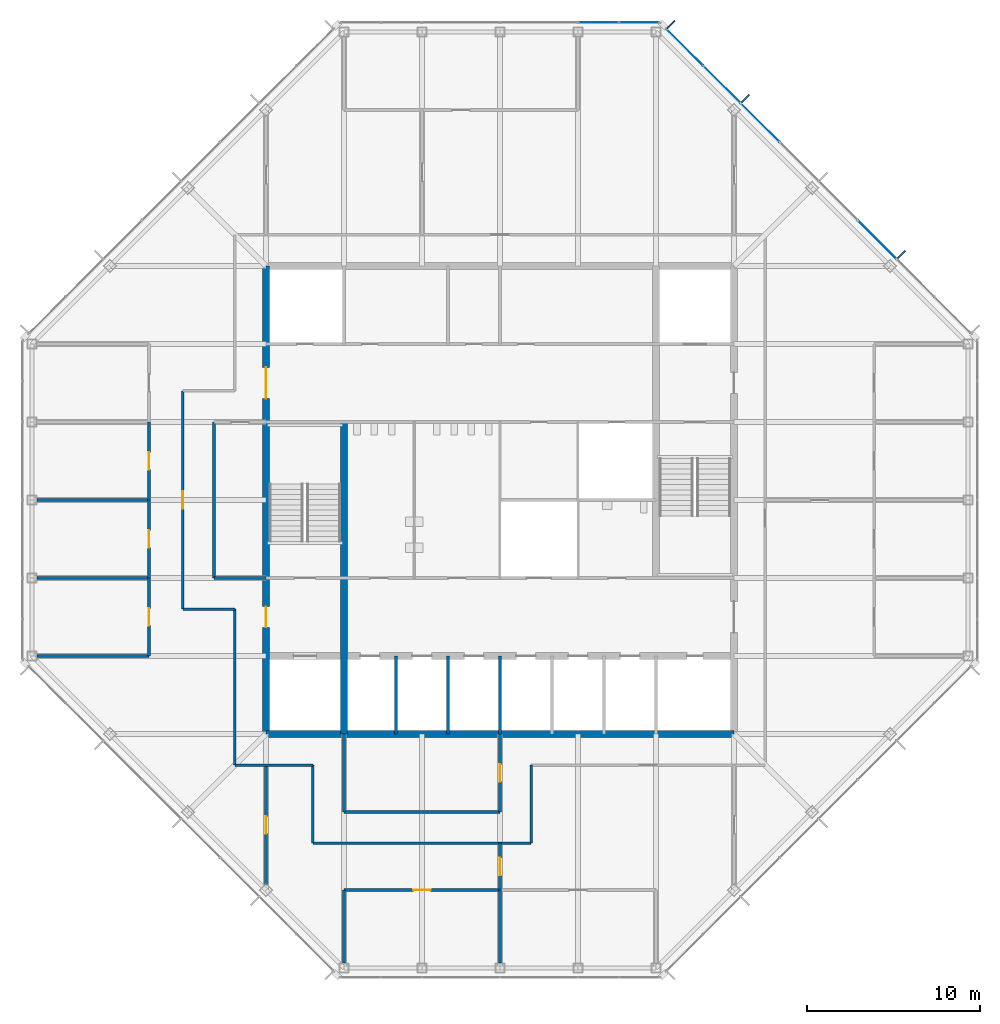
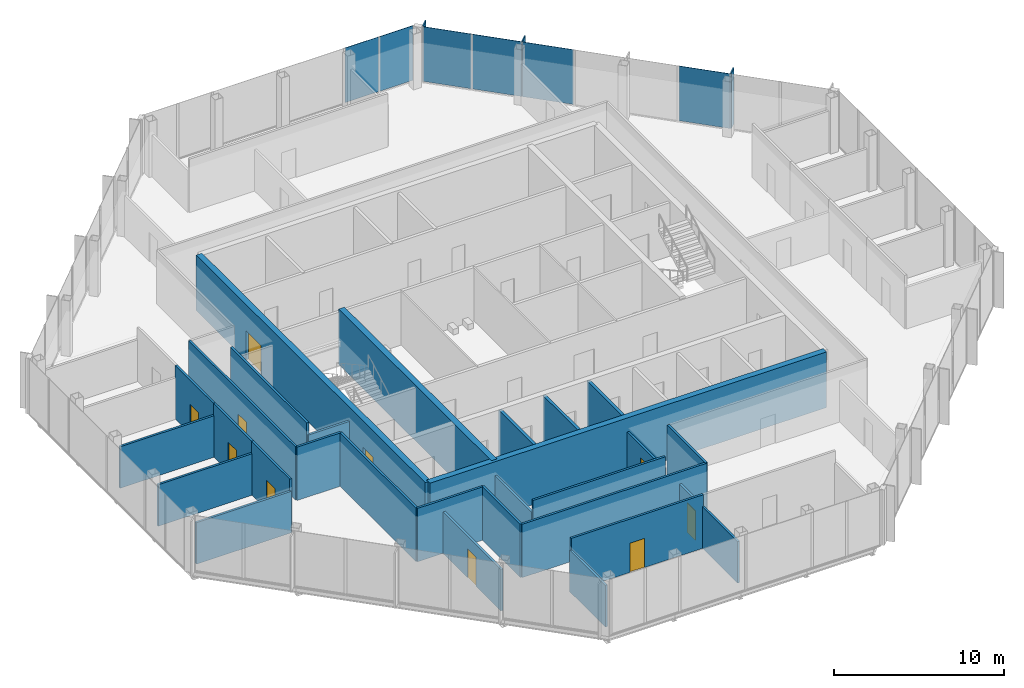
# One storey, part 9 of 14: 29 walls, 10 doors, 9 plates, 10 openings, 2 elements without a shape of their own.
"""IFC4 building model written with IfcOpenShell, lengths in metres."""

from ifc_helpers import new_model, si_unit, direction, frame, frame_2d, origin, origin_2d, place, context, subcontext, project, spatial, rectangle, extrude, material, layer, layer_set, type_object, element, fill, aggregate, save


model = new_model("IFC4")

# Units and contexts
model_context = context("Model", 3, precision=1e-05, world=origin(), true_north=direction((0.0, 1.0)))
body_context = subcontext(model_context, "Body", "Model", "MODEL_VIEW")
ifc_project = project(units=[si_unit("LENGTHUNIT", "METRE"), si_unit("AREAUNIT", "SQUARE_METRE"), si_unit("VOLUMEUNIT", "CUBIC_METRE"), si_unit("PLANEANGLEUNIT", "RADIAN"), si_unit("MASSUNIT", "GRAM", prefix="KILO")], contexts=[model_context])

# Site, building, storey
site_placement = place(None, origin())
site = spatial("IfcSite", under=ifc_project, at=site_placement, CompositionType="ELEMENT")
building_placement = place(site_placement, origin())
building = spatial("IfcBuilding", under=site, at=building_placement, Name="Corais Broadcast Tower", CompositionType="ELEMENT")
storey_placement = place(building_placement, frame((0.0, 0.0, 294.60009765625)))
storey = spatial("IfcBuildingStorey", under=building, at=storey_placement, Name="L69", CompositionType="ELEMENT", Elevation=294.60009765625)

# Curtain wall, plate
ifc_material_1 = material(Name="Aluminium and glass", Category="aluminium")
curtain_wall_type = type_object("IfcCurtainWallType", Name="Unitised fritted curtain wall CW3", PredefinedType="NOTDEFINED", material=ifc_material_1)
curtain_wall_1_placement = place(storey_placement, origin())
curtain_wall_1 = element("IfcCurtainWall", 1, at=curtain_wall_1_placement, inside=storey, type_object=curtain_wall_type, Name="CW3 curtain wall L69 4", PredefinedType="NOTDEFINED")
ifc_material_2 = material(Name="Ceramic-fritted laminated glass", Category="glass")
ifc_layer_1 = layer(ifc_material_2, 0.02587890625)
ifc_layer_set_1 = layer_set([ifc_layer_1], Name="Ceramic-fritted laminated glass")
plate_type_1 = type_object("IfcPlateType", Name="Fritted glass panel CW3", PredefinedType="CURTAIN_PANEL", material=ifc_layer_set_1)
plate_1_placement = place(storey_placement, frame((32.681884765625, 54.550048828125, 0.06494140625), z_axis=(0.0, 0.0, 1.0), x_axis=(1.0, 0.0, 0.0)))
plate_1 = element("IfcPlate", 2, at=plate_1_placement, type_object=plate_type_1, Name="CW3 panel 5", PredefinedType="CURTAIN_PANEL", context=body_context, shape_type="SweptSolid", body=[
    extrude(rectangle(XDim=2.298828125, YDim=0.02587890625, at=origin_2d()), origin(), (0.0, 0.0, 1.0), 3.93505859375),
])

# Curtain wall, plates
curtain_wall_2_placement = place(storey_placement, origin())
curtain_wall_2 = element("IfcCurtainWall", 3, at=curtain_wall_2_placement, inside=storey, type_object=curtain_wall_type, Name="CW3 curtain wall L69 5", PredefinedType="NOTDEFINED")
plate_2_placement = place(storey_placement, frame((37.669677734375, 53.108154296875, 0.06494140625), z_axis=(0.0, 0.0, 1.0), x_axis=(0.707106781187, -0.707106781187, 0.0)))
plate_2 = element("IfcPlate", 4, at=plate_2_placement, type_object=plate_type_1, Name="CW3 panel 1", PredefinedType="CURTAIN_PANEL", context=body_context, shape_type="SweptSolid", body=[
    extrude(rectangle(XDim=2.9482421875, YDim=0.02587890625, at=origin_2d()), origin(), (0.0, 0.0, 1.0), 3.93505859375),
])
plate_3_placement = place(storey_placement, frame((42.013916015625, 48.763916015625, 0.06494140625), z_axis=(0.0, 0.0, 1.0), x_axis=(0.707106781187, -0.707106781187, 0.0)))
plate_3 = element("IfcPlate", 5, at=plate_3_placement, type_object=plate_type_1, Name="CW3 panel 3", PredefinedType="CURTAIN_PANEL", context=body_context, shape_type="SweptSolid", body=[
    extrude(rectangle(XDim=3.116943359375, YDim=0.02587890625, at=origin_2d()), origin(), (0.0, 0.0, 1.0), 3.93505859375),
])

# Plate
ifc_material_3 = material(Name="Clear laminated glass", Category="glass")
ifc_layer_2 = layer(ifc_material_3, 0.030029296875)
ifc_layer_set_2 = layer_set([ifc_layer_2], Name="Clear laminated glass")
plate_type_2 = type_object("IfcPlateType", Name="Operable glass panel CW3", PredefinedType="CURTAIN_PANEL", material=ifc_layer_set_2)
plate_4_placement = place(storey_placement, frame((35.029541015625, 54.550048828125, 0.06494140625), z_axis=(0.0, 0.0, 1.0), x_axis=(1.0, 0.0, 0.0)))
plate_4 = element("IfcPlate", 6, at=plate_4_placement, type_object=plate_type_2, Name="CW3 operable panel 6", PredefinedType="CURTAIN_PANEL", context=body_context, shape_type="SweptSolid", body=[
    extrude(rectangle(XDim=2.266357421875, YDim=0.030029296875, at=origin_2d()), origin(), (0.0, 0.0, 1.0), 3.93505859375),
])

aggregate(curtain_wall_1, [plate_1, plate_4])

plate_5_placement = place(storey_placement, frame((39.81201171875, 50.9658203125, 0.06494140625), z_axis=(0.0, 0.0, 1.0), x_axis=(0.707106781187, -0.707106781187, 0.0)))
plate_5 = element("IfcPlate", 7, at=plate_5_placement, type_object=plate_type_2, Name="CW3 operable panel 2", PredefinedType="CURTAIN_PANEL", context=body_context, shape_type="SweptSolid", body=[
    extrude(rectangle(XDim=2.98095703125, YDim=0.030029296875, at=origin_2d()), origin(), (0.0, 0.0, 1.0), 3.93505859375),
])

plate_6_placement = place(storey_placement, frame((48.763916015625, 42.013916015625, 0.06494140625), z_axis=(0.0, 0.0, 1.0), x_axis=(0.707106781187, -0.707106781187, 0.0)))
plate_6 = element("IfcPlate", 8, at=plate_6_placement, type_object=plate_type_2, Name="CW3 operable panel 6", PredefinedType="CURTAIN_PANEL", context=body_context, shape_type="SweptSolid", body=[
    extrude(rectangle(XDim=3.116943359375, YDim=0.030029296875, at=origin_2d()), origin(), (0.0, 0.0, 1.0), 3.93505859375),
])

aggregate(curtain_wall_2, [plate_2, plate_5, plate_3, plate_6])

# Plates
ifc_material_4 = material(Name="Granite stone cladding", Category="masonry")
ifc_layer_3 = layer(ifc_material_4, 0.080078125)
ifc_layer_set_3 = layer_set([ifc_layer_3], Name="Granite stone cladding")
plate_type_3 = type_object("IfcPlateType", Name="Stone screen fin 80x600", PredefinedType="USERDEFINED", material=ifc_layer_set_3)
for number, where, z_axis, x_axis, name in (
    (9, (36.870849609375, 54.43994140625, 0.0), (0.0, 0.0, 1.0), (0.707106781187, -0.707106781187, 0.0), "SF1 stone screen fin L69"),
    (10, (41.155517578125, 50.155517578125, 0.0), (0.0, 0.0, 1.0), (0.707106781187, -0.707106781187, 0.0), "SF1 stone screen fin L69"),
    (11, (50.155517578125, 41.155517578125, 0.0), (0.0, 0.0, 1.0), (0.707106781187, -0.707106781187, 0.0), "SF1 stone screen fin L69"),
):
    element("IfcPlate", number, at=place(storey_placement, frame(where, z_axis=z_axis, x_axis=x_axis)), inside=storey, type_object=plate_type_3, Name=name, ObjectType="STONE SCREEN FIN", PredefinedType="USERDEFINED", context=body_context, shape_type="SweptSolid", body=[
        extrude(rectangle(XDim=0.080078125, YDim=0.60009765625, at=origin_2d()), origin(), (0.0, 0.0, 1.0), 4.0),
    ])

# Wall
ifc_material_5 = material(Name="Concrete C50/60", Category="concrete")
ifc_layer_4 = layer(ifc_material_5, 0.39990234375)
ifc_layer_set_4 = layer_set([ifc_layer_4], Name="Concrete C50/60")
wall_type_1 = type_object("IfcWallType", Name="Core wall 400", PredefinedType="SHEAR", material=ifc_layer_set_4)
wall_1_placement = place(storey_placement, frame((13.5, 13.5, 0.0), z_axis=(0.0, 0.0, 1.0), x_axis=(1.0, 0.0, 0.0)))
element("IfcWall", 12, at=wall_1_placement, inside=storey, type_object=wall_type_1, Name="CR400 core wall S L69", PredefinedType="SHEAR", context=body_context, shape_type="SweptSolid", body=[
    extrude(rectangle(XDim=27.0, YDim=0.39990234375, at=frame_2d((13.5, 0.0))), origin(), (0.0, 0.0, 1.0), 4.0),
])

# Wall, openings, doors
wall_2_placement = place(storey_placement, frame((13.5, 40.5, 0.0), z_axis=(0.0, 0.0, 1.0), x_axis=(0.0, -1.0, 0.0)))
wall_2 = element("IfcWall", 13, at=wall_2_placement, inside=storey, type_object=wall_type_1, Name="CR400 core wall W L69", PredefinedType="SHEAR", context=body_context, shape_type="SweptSolid", body=[
    extrude(rectangle(XDim=27.0, YDim=0.39990234375, at=frame_2d((13.5, 0.0))), origin(), (0.0, 0.0, 1.0), 4.0),
])
opening_1_placement = place(wall_2_placement, frame((19.64990234375, 0.0, 0.0)))
opening_1 = element("IfcOpeningElement", 14, at=opening_1_placement, cuts=wall_2, Name="Opening FD1", PredefinedType="OPENING", context=body_context, shape_type="SweptSolid", body=[
    extrude(rectangle(XDim=1.199951171875, YDim=2.10009765625, at=frame_2d((0.60009765625, 1.050048828125))), frame((0.0, 0.2099609375, 0.0), z_axis=(0.0, -1.0, 0.0), x_axis=(1.0, 0.0, 0.0)), (0.0, 0.0, 1.0), 0.419921875),
])
opening_2_placement = place(wall_2_placement, frame((5.85009765625, 0.0, 0.0)))
opening_2 = element("IfcOpeningElement", 15, at=opening_2_placement, cuts=wall_2, Name="Opening FD2", PredefinedType="OPENING", context=body_context, shape_type="SweptSolid", body=[
    extrude(rectangle(XDim=1.800048828125, YDim=2.10009765625, at=frame_2d((0.89990234375, 1.050048828125))), frame((0.0, 0.2099609375, 0.0), z_axis=(0.0, -1.0, 0.0), x_axis=(1.0, 0.0, 0.0)), (0.0, 0.0, 1.0), 0.419921875),
])
ifc_material_6 = material(Name="Steel fire door", Category="steel")
door_type_1 = type_object("IfcDoorType", Name="Fire door 1200x2100", OperationType="SINGLE_SWING_LEFT", PredefinedType="DOOR", material=ifc_material_6)
door_1_placement = place(opening_1_placement, origin())
door_1 = element("IfcDoor", 16, at=door_1_placement, inside=storey, type_object=door_type_1, Name="FD1 fire lobby A door L69", OperationType="SINGLE_SWING_RIGHT", OverallHeight=2.10009765625, OverallWidth=1.199951171875, PredefinedType="DOOR", context=body_context, shape_type="SweptSolid", body=[
    extrude(rectangle(XDim=1.199951171875, YDim=2.10009765625, at=frame_2d((0.60009765625, 1.050048828125))), frame((0.0, 0.02490234375, 0.0), z_axis=(0.0, -1.0, 0.0), x_axis=(1.0, 0.0, 0.0)), (0.0, 0.0, 1.0), 0.050048828125),
])
fill(opening_1, door_1)
ifc_material_7 = material(Name="Steel fire door", Category="steel")
door_type_2 = type_object("IfcDoorType", Name="Fire door pair 1800x2100", OperationType="DOUBLE_DOOR_SINGLE_SWING", PredefinedType="DOOR", material=ifc_material_7)
door_2_placement = place(opening_2_placement, origin())
door_2 = element("IfcDoor", 17, at=door_2_placement, inside=storey, type_object=door_type_2, Name="FD2 lift lobby door L69", OperationType="SINGLE_SWING_LEFT", OverallHeight=2.10009765625, OverallWidth=1.800048828125, PredefinedType="DOOR", context=body_context, shape_type="SweptSolid", body=[
    extrude(rectangle(XDim=1.800048828125, YDim=2.10009765625, at=frame_2d((0.89990234375, 1.050048828125))), frame((0.0, 0.02490234375, 0.0), z_axis=(0.0, -1.0, 0.0), x_axis=(1.0, 0.0, 0.0)), (0.0, 0.0, 1.0), 0.050048828125),
])
fill(opening_2, door_2)

# Wall
wall_3_placement = place(storey_placement, frame((18.0, 13.5, 0.0), z_axis=(0.0, 0.0, 1.0), x_axis=(0.0, 1.0, 0.0)))
element("IfcWall", 18, at=wall_3_placement, inside=storey, type_object=wall_type_1, Name="CR400 core wall X18A L69", PredefinedType="SHEAR", context=body_context, shape_type="SweptSolid", body=[
    extrude(rectangle(XDim=18.0, YDim=0.39990234375, at=frame_2d((9.0, 0.0))), origin(), (0.0, 0.0, 1.0), 4.0),
])

# Wall, opening, door
ifc_material_8 = material(Name="Gypsum board on steel studs", Category="steel")
ifc_layer_5 = layer(ifc_material_8, 0.14990234375)
ifc_layer_set_5 = layer_set([ifc_layer_5], Name="Gypsum board on steel studs")
wall_type_2 = type_object("IfcWallType", Name="Partition 150", PredefinedType="PARTITIONING", material=ifc_layer_set_5)
wall_4_placement = place(storey_placement, frame((8.699951171875, 33.300048828125, 0.0), z_axis=(0.0, 0.0, 1.0), x_axis=(0.0, -1.0, 0.0)))
wall_4 = element("IfcWall", 19, at=wall_4_placement, inside=storey, type_object=wall_type_2, Name="IW3 corridor wall L69", PredefinedType="PARTITIONING", context=body_context, shape_type="SweptSolid", body=[
    extrude(rectangle(XDim=12.60009765625, YDim=0.14990234375, at=frame_2d((6.300048828125, 0.0))), origin(), (0.0, 0.0, 1.0), 3.83984375),
])
opening_3_placement = place(wall_4_placement, frame((5.800048828125, 0.0, 0.0)))
opening_3 = element("IfcOpeningElement", 20, at=opening_3_placement, cuts=wall_4, Name="Opening D1", PredefinedType="OPENING", context=body_context, shape_type="SweptSolid", body=[
    extrude(rectangle(XDim=1.0, YDim=2.10009765625, at=frame_2d((0.5, 1.050048828125))), frame((0.0, 0.0849609375, 0.0), z_axis=(0.0, -1.0, 0.0), x_axis=(1.0, 0.0, 0.0)), (0.0, 0.0, 1.0), 0.169921875),
])
ifc_material_9 = material(Name="Timber door", Category="wood")
door_type_3 = type_object("IfcDoorType", Name="Single door 1000x2100", OperationType="SINGLE_SWING_LEFT", PredefinedType="DOOR", material=ifc_material_9)
door_3_placement = place(opening_3_placement, origin())
door_3 = element("IfcDoor", 21, at=door_3_placement, inside=storey, type_object=door_type_3, Name="D1 workplace door L69", OperationType="SINGLE_SWING_LEFT", OverallHeight=2.10009765625, OverallWidth=1.0, PredefinedType="DOOR", context=body_context, shape_type="SweptSolid", body=[
    extrude(rectangle(XDim=1.0, YDim=2.10009765625, at=frame_2d((0.5, 1.050048828125))), frame((0.0, 0.02490234375, 0.0), z_axis=(0.0, -1.0, 0.0), x_axis=(1.0, 0.0, 0.0)), (0.0, 0.0, 1.0), 0.050048828125),
])
fill(opening_3, door_3)

# Walls
wall_5_placement = place(storey_placement, frame((16.199951171875, 7.199951171875, 0.0), z_axis=(0.0, 0.0, 1.0), x_axis=(1.0, 0.0, 0.0)))
element("IfcWall", 22, at=wall_5_placement, inside=storey, type_object=wall_type_2, Name="IW3 corridor wall L69", PredefinedType="PARTITIONING", context=body_context, shape_type="SweptSolid", body=[
    extrude(rectangle(XDim=12.60009765625, YDim=0.14990234375, at=frame_2d((6.300048828125, 0.0))), origin(), (0.0, 0.0, 1.0), 3.83984375),
])
wall_6_placement = place(storey_placement, frame((11.699951171875, 20.699951171875, 0.0), z_axis=(0.0, 0.0, 1.0), x_axis=(0.0, -1.0, 0.0)))
element("IfcWall", 23, at=wall_6_placement, inside=storey, type_object=wall_type_2, Name="IW3 corridor wall L69", PredefinedType="PARTITIONING", context=body_context, shape_type="SweptSolid", body=[
    extrude(rectangle(XDim=9.0, YDim=0.14990234375, at=frame_2d((4.5, 0.0))), origin(), (0.0, 0.0, 1.0), 3.83984375),
])
for number, where, z_axis, x_axis, name in (
    (24, (11.699951171875, 11.699951171875, 0.0), (0.0, 0.0, 1.0), (1.0, 0.0, 0.0), "IW3 corridor wall L69"),
    (25, (16.199951171875, 11.699951171875, 0.0), (0.0, 0.0, 1.0), (0.0, -1.0, 0.0), "IW3 corridor wall L69"),
    (26, (28.800048828125, 7.199951171875, 0.0), (0.0, 0.0, 1.0), (0.0, 1.0, 0.0), "IW3 corridor wall L69"),
):
    element("IfcWall", number, at=place(storey_placement, frame(where, z_axis=z_axis, x_axis=x_axis)), inside=storey, type_object=wall_type_2, Name=name, PredefinedType="PARTITIONING", context=body_context, shape_type="SweptSolid", body=[
        extrude(rectangle(XDim=4.5, YDim=0.14990234375, at=frame_2d((2.25, 0.0))), origin(), (0.0, 0.0, 1.0), 3.83984375),
    ])
wall_7_placement = place(storey_placement, frame((8.699951171875, 20.699951171875, 0.0), z_axis=(0.0, 0.0, 1.0), x_axis=(1.0, 0.0, 0.0)))
element("IfcWall", 27, at=wall_7_placement, inside=storey, type_object=wall_type_2, Name="IW3 corridor wall L69", PredefinedType="PARTITIONING", context=body_context, shape_type="SweptSolid", body=[
    extrude(rectangle(XDim=3.0, YDim=0.14990234375, at=frame_2d((1.5, 0.0))), origin(), (0.0, 0.0, 1.0), 3.83984375),
])
wall_8_placement = place(storey_placement, frame((10.5, 22.5, 0.0), z_axis=(0.0, 0.0, 1.0), x_axis=(1.0, 0.0, 0.0)))
element("IfcWall", 28, at=wall_8_placement, inside=storey, type_object=wall_type_2, Name="IW3 partition L69", PredefinedType="PARTITIONING", context=body_context, shape_type="SweptSolid", body=[
    extrude(rectangle(XDim=3.0, YDim=0.14990234375, at=frame_2d((1.5, 0.0))), origin(), (0.0, 0.0, 1.0), 2.989013671875),
])
for number, where, z_axis, x_axis, name in (
    (29, (10.5, 31.5, 0.0), (0.0, 0.0, 1.0), (0.0, -1.0, 0.0), "IW3 partition L69"),
    (30, (18.0, 9.0, 0.0), (0.0, 0.0, 1.0), (1.0, 0.0, 0.0), "IW3 partition L69"),
):
    element("IfcWall", number, at=place(storey_placement, frame(where, z_axis=z_axis, x_axis=x_axis)), inside=storey, type_object=wall_type_2, Name=name, PredefinedType="PARTITIONING", context=body_context, shape_type="SweptSolid", body=[
        extrude(rectangle(XDim=9.0, YDim=0.14990234375, at=frame_2d((4.5, 0.0))), origin(), (0.0, 0.0, 1.0), 3.83984375),
    ])

# Wall, opening, door
wall_9_placement = place(storey_placement, frame((27.0, 9.0, 0.0), z_axis=(0.0, 0.0, 1.0), x_axis=(0.0, 1.0, 0.0)))
wall_9 = element("IfcWall", 31, at=wall_9_placement, inside=storey, type_object=wall_type_2, Name="IW3 partition L69", PredefinedType="PARTITIONING", context=body_context, shape_type="SweptSolid", body=[
    extrude(rectangle(XDim=4.5, YDim=0.14990234375, at=frame_2d((2.25, 0.0))), origin(), (0.0, 0.0, 1.0), 2.989013671875),
])
opening_4_placement = place(wall_9_placement, frame((1.75, 0.0, 0.0)))
opening_4 = element("IfcOpeningElement", 32, at=opening_4_placement, cuts=wall_9, Name="Opening D1", PredefinedType="OPENING", context=body_context, shape_type="SweptSolid", body=[
    extrude(rectangle(XDim=1.0, YDim=2.10009765625, at=frame_2d((0.5, 1.050048828125))), frame((0.0, 0.0849609375, 0.0), z_axis=(0.0, -1.0, 0.0), x_axis=(1.0, 0.0, 0.0)), (0.0, 0.0, 1.0), 0.169921875),
])
door_4_placement = place(opening_4_placement, origin())
door_4 = element("IfcDoor", 33, at=door_4_placement, inside=storey, type_object=door_type_3, Name="D1 Office door", OperationType="SINGLE_SWING_LEFT", OverallHeight=2.10009765625, OverallWidth=1.0, PredefinedType="DOOR", context=body_context, shape_type="SweptSolid", body=[
    extrude(rectangle(XDim=1.0, YDim=2.10009765625, at=frame_2d((0.5, 1.050048828125))), frame((0.0, 0.02490234375, 0.0), z_axis=(0.0, -1.0, 0.0), x_axis=(1.0, 0.0, 0.0)), (0.0, 0.0, 1.0), 0.050048828125),
])
fill(opening_4, door_4)

# Walls
wall_10_placement = place(storey_placement, frame((18.0, 13.5, 0.0), z_axis=(0.0, 0.0, 1.0), x_axis=(0.0, -1.0, 0.0)))
element("IfcWall", 34, at=wall_10_placement, inside=storey, type_object=wall_type_2, Name="IW3 partition L69", PredefinedType="PARTITIONING", context=body_context, shape_type="SweptSolid", body=[
    extrude(rectangle(XDim=4.5, YDim=0.14990234375, at=frame_2d((2.25, 0.0))), origin(), (0.0, 0.0, 1.0), 2.989013671875),
])
wall_11_placement = place(storey_placement, frame((0.284912109375, 18.0, 0.0), z_axis=(0.0, 0.0, 1.0), x_axis=(1.0, 0.0, 0.0)))
element("IfcWall", 35, at=wall_11_placement, inside=storey, type_object=wall_type_2, Name="IW3 partition L69", PredefinedType="PARTITIONING", context=body_context, shape_type="SweptSolid", body=[
    extrude(rectangle(XDim=6.465087890625, YDim=0.14990234375, at=frame_2d((3.232421875, 0.0))), origin(), (0.0, 0.0, 1.0), 2.989013671875),
])

# Wall, opening, door
wall_12_placement = place(storey_placement, frame((6.75, 18.0, 0.0), z_axis=(0.0, 0.0, 1.0), x_axis=(0.0, 1.0, 0.0)))
wall_12 = element("IfcWall", 36, at=wall_12_placement, inside=storey, type_object=wall_type_2, Name="IW3 partition L69", PredefinedType="PARTITIONING", context=body_context, shape_type="SweptSolid", body=[
    extrude(rectangle(XDim=4.5, YDim=0.14990234375, at=frame_2d((2.25, 0.0))), origin(), (0.0, 0.0, 1.0), 3.83984375),
])
opening_5_placement = place(wall_12_placement, frame((1.75, 0.0, 0.0)))
opening_5 = element("IfcOpeningElement", 37, at=opening_5_placement, cuts=wall_12, Name="Opening D1", PredefinedType="OPENING", context=body_context, shape_type="SweptSolid", body=[
    extrude(rectangle(XDim=1.0, YDim=2.10009765625, at=frame_2d((0.5, 1.050048828125))), frame((0.0, 0.0849609375, 0.0), z_axis=(0.0, -1.0, 0.0), x_axis=(1.0, 0.0, 0.0)), (0.0, 0.0, 1.0), 0.169921875),
])
door_5_placement = place(opening_5_placement, origin())
door_5 = element("IfcDoor", 38, at=door_5_placement, inside=storey, type_object=door_type_3, Name="D1 Executive lounge door", OperationType="SINGLE_SWING_LEFT", OverallHeight=2.10009765625, OverallWidth=1.0, PredefinedType="DOOR", context=body_context, shape_type="SweptSolid", body=[
    extrude(rectangle(XDim=1.0, YDim=2.10009765625, at=frame_2d((0.5, 1.050048828125))), frame((0.0, 0.02490234375, 0.0), z_axis=(0.0, -1.0, 0.0), x_axis=(1.0, 0.0, 0.0)), (0.0, 0.0, 1.0), 0.050048828125),
])
fill(opening_5, door_5)

# Wall
wall_13_placement = place(storey_placement, frame((6.75, 22.5, 0.0), z_axis=(0.0, 0.0, 1.0), x_axis=(-1.0, 0.0, 0.0)))
element("IfcWall", 39, at=wall_13_placement, inside=storey, type_object=wall_type_2, Name="IW3 partition L69", PredefinedType="PARTITIONING", context=body_context, shape_type="SweptSolid", body=[
    extrude(rectangle(XDim=6.465087890625, YDim=0.14990234375, at=frame_2d((3.232421875, 0.0))), origin(), (0.0, 0.0, 1.0), 2.989013671875),
])

# Wall, opening, door
wall_14_placement = place(storey_placement, frame((6.75, 22.5, 0.0), z_axis=(0.0, 0.0, 1.0), x_axis=(0.0, 1.0, 0.0)))
wall_14 = element("IfcWall", 40, at=wall_14_placement, inside=storey, type_object=wall_type_2, Name="IW3 partition L69", PredefinedType="PARTITIONING", context=body_context, shape_type="SweptSolid", body=[
    extrude(rectangle(XDim=4.5, YDim=0.14990234375, at=frame_2d((2.25, 0.0))), origin(), (0.0, 0.0, 1.0), 3.83984375),
])
opening_6_placement = place(wall_14_placement, frame((1.75, 0.0, 0.0)))
opening_6 = element("IfcOpeningElement", 41, at=opening_6_placement, cuts=wall_14, Name="Opening D1", PredefinedType="OPENING", context=body_context, shape_type="SweptSolid", body=[
    extrude(rectangle(XDim=1.0, YDim=2.10009765625, at=frame_2d((0.5, 1.050048828125))), frame((0.0, 0.0849609375, 0.0), z_axis=(0.0, -1.0, 0.0), x_axis=(1.0, 0.0, 0.0)), (0.0, 0.0, 1.0), 0.169921875),
])
door_6_placement = place(opening_6_placement, origin())
door_6 = element("IfcDoor", 42, at=door_6_placement, inside=storey, type_object=door_type_3, Name="D1 Executive lounge door", OperationType="SINGLE_SWING_LEFT", OverallHeight=2.10009765625, OverallWidth=1.0, PredefinedType="DOOR", context=body_context, shape_type="SweptSolid", body=[
    extrude(rectangle(XDim=1.0, YDim=2.10009765625, at=frame_2d((0.5, 1.050048828125))), frame((0.0, 0.02490234375, 0.0), z_axis=(0.0, -1.0, 0.0), x_axis=(1.0, 0.0, 0.0)), (0.0, 0.0, 1.0), 0.050048828125),
])
fill(opening_6, door_6)

# Wall
wall_15_placement = place(storey_placement, frame((6.75, 27.0, 0.0), z_axis=(0.0, 0.0, 1.0), x_axis=(-1.0, 0.0, 0.0)))
element("IfcWall", 43, at=wall_15_placement, inside=storey, type_object=wall_type_2, Name="IW3 partition L69", PredefinedType="PARTITIONING", context=body_context, shape_type="SweptSolid", body=[
    extrude(rectangle(XDim=6.465087890625, YDim=0.14990234375, at=frame_2d((3.232421875, 0.0))), origin(), (0.0, 0.0, 1.0), 2.989013671875),
])

# Wall, opening, door
wall_16_placement = place(storey_placement, frame((6.75, 27.0, 0.0), z_axis=(0.0, 0.0, 1.0), x_axis=(0.0, 1.0, 0.0)))
wall_16 = element("IfcWall", 44, at=wall_16_placement, inside=storey, type_object=wall_type_2, Name="IW3 partition L69", PredefinedType="PARTITIONING", context=body_context, shape_type="SweptSolid", body=[
    extrude(rectangle(XDim=4.5, YDim=0.14990234375, at=frame_2d((2.25, 0.0))), origin(), (0.0, 0.0, 1.0), 3.83984375),
])
opening_7_placement = place(wall_16_placement, frame((1.75, 0.0, 0.0)))
opening_7 = element("IfcOpeningElement", 45, at=opening_7_placement, cuts=wall_16, Name="Opening D1", PredefinedType="OPENING", context=body_context, shape_type="SweptSolid", body=[
    extrude(rectangle(XDim=1.0, YDim=2.10009765625, at=frame_2d((0.5, 1.050048828125))), frame((0.0, 0.0849609375, 0.0), z_axis=(0.0, -1.0, 0.0), x_axis=(1.0, 0.0, 0.0)), (0.0, 0.0, 1.0), 0.169921875),
])
door_7_placement = place(opening_7_placement, origin())
door_7 = element("IfcDoor", 46, at=door_7_placement, inside=storey, type_object=door_type_3, Name="D1 Executive lounge door", OperationType="SINGLE_SWING_LEFT", OverallHeight=2.10009765625, OverallWidth=1.0, PredefinedType="DOOR", context=body_context, shape_type="SweptSolid", body=[
    extrude(rectangle(XDim=1.0, YDim=2.10009765625, at=frame_2d((0.5, 1.050048828125))), frame((0.0, 0.02490234375, 0.0), z_axis=(0.0, -1.0, 0.0), x_axis=(1.0, 0.0, 0.0)), (0.0, 0.0, 1.0), 0.050048828125),
])
fill(opening_7, door_7)

# Wall
wall_17_placement = place(storey_placement, frame((27.0, 0.284912109375, 0.0), z_axis=(0.0, 0.0, 1.0), x_axis=(0.0, 1.0, 0.0)))
element("IfcWall", 47, at=wall_17_placement, inside=storey, type_object=wall_type_2, Name="IW3 partition L69", PredefinedType="PARTITIONING", context=body_context, shape_type="SweptSolid", body=[
    extrude(rectangle(XDim=4.215087890625, YDim=0.14990234375, at=frame_2d((2.107421875, 0.0))), origin(), (0.0, 0.0, 1.0), 2.989013671875),
])

# Wall, opening, door
wall_18_placement = place(storey_placement, frame((27.0, 4.5, 0.0), z_axis=(0.0, 0.0, 1.0), x_axis=(-1.0, 0.0, 0.0)))
wall_18 = element("IfcWall", 48, at=wall_18_placement, inside=storey, type_object=wall_type_2, Name="IW3 partition L69", PredefinedType="PARTITIONING", context=body_context, shape_type="SweptSolid", body=[
    extrude(rectangle(XDim=9.0, YDim=0.14990234375, at=frame_2d((4.5, 0.0))), origin(), (0.0, 0.0, 1.0), 3.83984375),
])
opening_8_placement = place(wall_18_placement, frame((4.0, 0.0, 0.0)))
opening_8 = element("IfcOpeningElement", 49, at=opening_8_placement, cuts=wall_18, Name="Opening D1", PredefinedType="OPENING", context=body_context, shape_type="SweptSolid", body=[
    extrude(rectangle(XDim=1.0, YDim=2.10009765625, at=frame_2d((0.5, 1.050048828125))), frame((0.0, 0.0849609375, 0.0), z_axis=(0.0, -1.0, 0.0), x_axis=(1.0, 0.0, 0.0)), (0.0, 0.0, 1.0), 0.169921875),
])
door_8_placement = place(opening_8_placement, origin())
door_8 = element("IfcDoor", 50, at=door_8_placement, inside=storey, type_object=door_type_3, Name="D1 Assistant office door", OperationType="SINGLE_SWING_LEFT", OverallHeight=2.10009765625, OverallWidth=1.0, PredefinedType="DOOR", context=body_context, shape_type="SweptSolid", body=[
    extrude(rectangle(XDim=1.0, YDim=2.10009765625, at=frame_2d((0.5, 1.050048828125))), frame((0.0, 0.02490234375, 0.0), z_axis=(0.0, -1.0, 0.0), x_axis=(1.0, 0.0, 0.0)), (0.0, 0.0, 1.0), 0.050048828125),
])
fill(opening_8, door_8)

# Wall
wall_19_placement = place(storey_placement, frame((18.0, 4.5, 0.0), z_axis=(0.0, 0.0, 1.0), x_axis=(0.0, -1.0, 0.0)))
element("IfcWall", 51, at=wall_19_placement, inside=storey, type_object=wall_type_2, Name="IW3 partition L69", PredefinedType="PARTITIONING", context=body_context, shape_type="SweptSolid", body=[
    extrude(rectangle(XDim=4.215087890625, YDim=0.14990234375, at=frame_2d((2.107421875, 0.0))), origin(), (0.0, 0.0, 1.0), 2.989013671875),
])

# Wall, opening, door
wall_20_placement = place(storey_placement, frame((27.0, 4.5, 0.0), z_axis=(0.0, 0.0, 1.0), x_axis=(0.0, 1.0, 0.0)))
wall_20 = element("IfcWall", 52, at=wall_20_placement, inside=storey, type_object=wall_type_2, Name="IW3 partition L69", PredefinedType="PARTITIONING", context=body_context, shape_type="SweptSolid", body=[
    extrude(rectangle(XDim=2.699951171875, YDim=0.14990234375, at=frame_2d((1.35009765625, 0.0))), origin(), (0.0, 0.0, 1.0), 2.989013671875),
])
opening_9_placement = place(wall_20_placement, frame((0.85009765625, 0.0, 0.0)))
opening_9 = element("IfcOpeningElement", 53, at=opening_9_placement, cuts=wall_20, Name="Opening D1", PredefinedType="OPENING", context=body_context, shape_type="SweptSolid", body=[
    extrude(rectangle(XDim=1.0, YDim=2.10009765625, at=frame_2d((0.5, 1.050048828125))), frame((0.0, 0.0849609375, 0.0), z_axis=(0.0, -1.0, 0.0), x_axis=(1.0, 0.0, 0.0)), (0.0, 0.0, 1.0), 0.169921875),
])
door_9_placement = place(opening_9_placement, origin())
door_9 = element("IfcDoor", 54, at=door_9_placement, inside=storey, type_object=door_type_3, Name="D1 team room door L69", OperationType="SINGLE_SWING_LEFT", OverallHeight=2.10009765625, OverallWidth=1.0, PredefinedType="DOOR", context=body_context, shape_type="SweptSolid", body=[
    extrude(rectangle(XDim=1.0, YDim=2.10009765625, at=frame_2d((0.5, 1.050048828125))), frame((0.0, 0.02490234375, 0.0), z_axis=(0.0, -1.0, 0.0), x_axis=(1.0, 0.0, 0.0)), (0.0, 0.0, 1.0), 0.050048828125),
])
fill(opening_9, door_9)

wall_21_placement = place(storey_placement, frame((13.5, 11.699951171875, 0.0), z_axis=(0.0, 0.0, 1.0), x_axis=(0.0, -1.0, 0.0)))
wall_21 = element("IfcWall", 55, at=wall_21_placement, inside=storey, type_object=wall_type_2, Name="IW3 partition L69", PredefinedType="PARTITIONING", context=body_context, shape_type="SweptSolid", body=[
    extrude(rectangle(XDim=6.905029296875, YDim=0.14990234375, at=frame_2d((3.45263671875, 0.0))), origin(), (0.0, 0.0, 1.0), 2.989013671875),
])
opening_10_placement = place(wall_21_placement, frame((2.952392578125, 0.0, 0.0)))
opening_10 = element("IfcOpeningElement", 56, at=opening_10_placement, cuts=wall_21, Name="Opening D1", PredefinedType="OPENING", context=body_context, shape_type="SweptSolid", body=[
    extrude(rectangle(XDim=1.0, YDim=2.10009765625, at=frame_2d((0.5, 1.050048828125))), frame((0.0, 0.0849609375, 0.0), z_axis=(0.0, -1.0, 0.0), x_axis=(1.0, 0.0, 0.0)), (0.0, 0.0, 1.0), 0.169921875),
])
door_10_placement = place(opening_10_placement, origin())
door_10 = element("IfcDoor", 57, at=door_10_placement, inside=storey, type_object=door_type_3, Name="D1 team room door L69", OperationType="SINGLE_SWING_LEFT", OverallHeight=2.10009765625, OverallWidth=1.0, PredefinedType="DOOR", context=body_context, shape_type="SweptSolid", body=[
    extrude(rectangle(XDim=1.0, YDim=2.10009765625, at=frame_2d((0.5, 1.050048828125))), frame((0.0, 0.02490234375, 0.0), z_axis=(0.0, -1.0, 0.0), x_axis=(1.0, 0.0, 0.0)), (0.0, 0.0, 1.0), 0.050048828125),
])
fill(opening_10, door_10)

# Walls
ifc_material_10 = material(Name="Concrete blockwork class A, grouted, two-hour", Category="masonry")
ifc_layer_6 = layer(ifc_material_10, 0.199951171875)
ifc_layer_set_6 = layer_set([ifc_layer_6], Name="Concrete blockwork class A, grouted, two-hour")
wall_type_3 = type_object("IfcWallType", Name="Shaft wall 200", PredefinedType="PARTITIONING", material=ifc_layer_set_6)
for number, where, z_axis, x_axis, name in (
    (58, (21.0, 13.5, 0.0), (0.0, 0.0, 1.0), (0.0, 1.0, 0.0), "IW1 shaft wall L69"),
    (59, (24.0, 13.5, 0.0), (0.0, 0.0, 1.0), (0.0, 1.0, 0.0), "IW1 shaft wall L69"),
    (60, (27.0, 13.5, 0.0), (0.0, 0.0, 1.0), (0.0, 1.0, 0.0), "IW1 shaft wall L69"),
):
    element("IfcWall", number, at=place(storey_placement, frame(where, z_axis=z_axis, x_axis=x_axis)), inside=storey, type_object=wall_type_3, Name=name, PredefinedType="PARTITIONING", context=body_context, shape_type="SweptSolid", body=[
        extrude(rectangle(XDim=4.5, YDim=0.199951171875, at=frame_2d((2.25, 0.0))), origin(), (0.0, 0.0, 1.0), 3.83984375),
    ])

save(model, "model.ifc")
